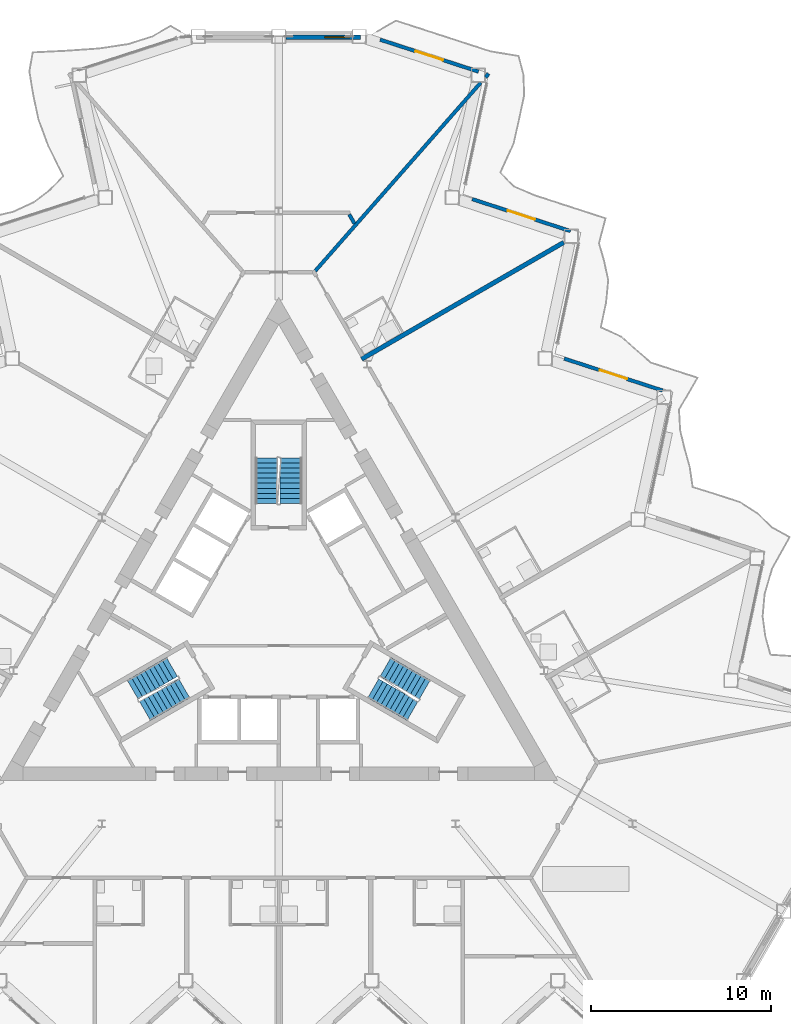
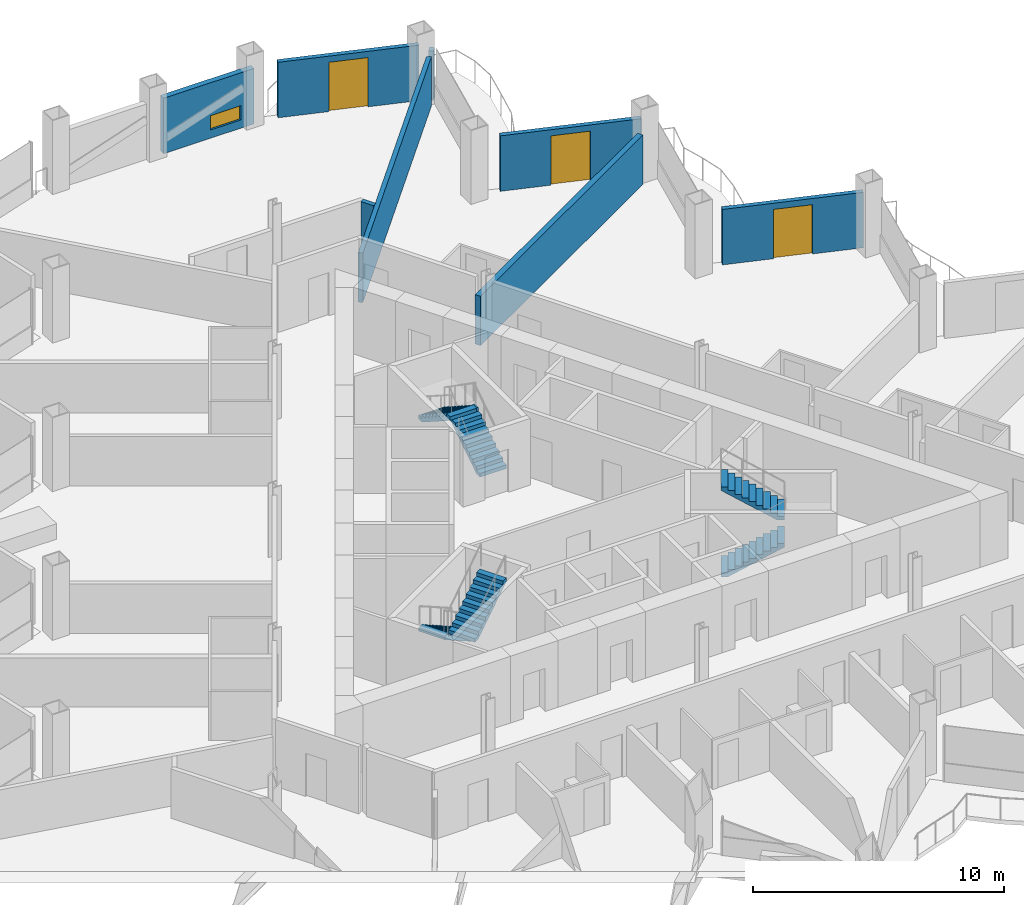
# One storey, part 15 of 23: 8 walls, 6 stair flights, 3 doors, 1 window, 4 openings, 3 elements without a shape of their own.
"""IFC4 building model written with IfcOpenShell, lengths in metres."""

from ifc_helpers import new_model, si_unit, direction, frame, frame_2d, origin, place, context, subcontext, project, spatial, polyline, rectangle, outline, extrude, material, layer, layer_set, type_object, element, fill, aggregate, save


model = new_model("IFC4")

# Units and contexts
model_context = context("Model", 3, precision=1e-05, world=origin(), true_north=direction((0.0, 1.0)))
body_context = subcontext(model_context, "Body", "Model", "MODEL_VIEW")
ifc_project = project(units=[si_unit("LENGTHUNIT", "METRE"), si_unit("AREAUNIT", "SQUARE_METRE"), si_unit("VOLUMEUNIT", "CUBIC_METRE"), si_unit("PLANEANGLEUNIT", "RADIAN"), si_unit("MASSUNIT", "GRAM", prefix="KILO")], contexts=[model_context])

# Site, building, storey
site_placement = place(None, origin())
site = spatial("IfcSite", under=ifc_project, at=site_placement, CompositionType="ELEMENT")
building_placement = place(site_placement, origin())
building = spatial("IfcBuilding", under=site, at=building_placement, Name="Cormorant Prow Tower", CompositionType="ELEMENT")
storey_placement = place(building_placement, frame((0.0, 0.0, 169.199951171875)))
storey = spatial("IfcBuildingStorey", under=building, at=storey_placement, Name="L35", CompositionType="ELEMENT", Elevation=169.199951171875)

# Walls
ifc_material_1 = material(Name="Gypsum board demising wall")
ifc_layer_1 = layer(ifc_material_1, 0.199951171875)
ifc_layer_set_1 = layer_set([ifc_layer_1], Name="Gypsum board demising wall")
wall_type_1 = type_object("IfcWallType", Name="Demising wall 200", PredefinedType="PARTITIONING", material=ifc_layer_set_1)
wall_1_placement = place(storey_placement, frame((2.029052734375, 19.372802734375, 0.0), z_axis=(0.0, 0.0, 1.0), x_axis=(0.66019067586, 0.751098043871, 0.0)))
element("IfcWall", 1, at=wall_1_placement, inside=storey, type_object=wall_type_1, Name="Demising wall", PredefinedType="PARTITIONING", context=body_context, shape_type="SweptSolid", body=[
    extrude(rectangle(XDim=13.938232421875, YDim=0.199951171875, at=frame_2d((6.96923828125, 0.0))), origin(), (0.0, 0.0, 1.0), 2.404296875),
])
wall_2_placement = place(storey_placement, frame((3.918212890625, 22.51123046875, 0.0), z_axis=(0.0, 0.0, 1.0), x_axis=(0.500105011351, -0.865964766963, 0.0)))
element("IfcWall", 2, at=wall_2_placement, inside=storey, type_object=wall_type_1, Name="Demising wall", PredefinedType="PARTITIONING", context=body_context, shape_type="SweptSolid", body=[
    extrude(rectangle(XDim=0.589111328125, YDim=0.199951171875, at=frame_2d((0.29443359375, 0.0))), origin(), (0.0, 0.0, 1.0), 2.404296875),
])
wall_3_placement = place(storey_placement, frame((11.489990234375, 30.13671875, 0.0), z_axis=(0.0, 0.0, 1.0), x_axis=(0.660272933047, 0.751025734503, 0.0)))
element("IfcWall", 3, at=wall_3_placement, inside=storey, type_object=wall_type_1, Name="Demising wall", PredefinedType="PARTITIONING", context=body_context, shape_type="SweptSolid", body=[
    extrude(rectangle(XDim=0.263671875, YDim=0.199951171875, at=frame_2d((0.1318359375, 0.0))), origin(), (0.0, 0.0, 1.0), 2.404296875),
])
ifc_material_2 = material(Name="Acoustic gypsum party wall")
ifc_layer_2 = layer(ifc_material_2, 0.25)
ifc_layer_set_2 = layer_set([ifc_layer_2], Name="Acoustic gypsum party wall")
wall_type_2 = type_object("IfcWallType", Name="Suite party wall 250", PredefinedType="PARTITIONING", material=ifc_layer_set_2)
wall_4_placement = place(storey_placement, frame((4.6044921875, 14.47265625, 0.0), z_axis=(0.0, 0.0, 1.0), x_axis=(0.866029765546, 0.499992445131, 0.0)))
element("IfcWall", 4, at=wall_4_placement, inside=storey, type_object=wall_type_2, Name="Suite party wall", PredefinedType="PARTITIONING", context=body_context, shape_type="SweptSolid", body=[
    extrude(rectangle(XDim=12.967529296875, YDim=0.25, at=frame_2d((6.48388671875, 0.0))), origin(), (0.0, 0.0, 1.0), 2.404296875),
])

# Wall, opening, window
ifc_material_3 = material(Name="Terracotta", Category="masonry")
ifc_layer_3 = layer(ifc_material_3, 0.25)
ifc_layer_set_3 = layer_set([ifc_layer_3], Name="Terracotta")
wall_type_3 = type_object("IfcWallType", Name="Terracotta bay wall 250", PredefinedType="SOLIDWALL", material=ifc_layer_set_3)
wall_5_placement = place(storey_placement, frame((4.555908203125, 32.368896484375, 0.0), z_axis=(0.0, 0.0, 1.0), x_axis=(-1.0, 0.0, 0.0)))
wall_5 = element("IfcWall", 5, at=wall_5_placement, inside=storey, type_object=wall_type_3, Name="Terracotta bay wall N00", PredefinedType="SOLIDWALL", context=body_context, shape_type="SweptSolid", body=[
    extrude(rectangle(XDim=4.156005859375, YDim=0.25, at=frame_2d((2.078125, 0.0))), origin(), (0.0, 0.0, 1.0), 2.700927734375),
])
opening_1_placement = place(wall_5_placement, frame((0.60009765625, 0.0, 0.39990234375)))
opening_1 = element("IfcOpeningElement", 6, at=opening_1_placement, cuts=wall_5, Name="Opening WN4", PredefinedType="OPENING", context=body_context, shape_type="SweptSolid", body=[
    extrude(rectangle(XDim=1.39990234375, YDim=0.699951171875, at=frame_2d((0.699951171875, 0.35009765625))), frame((0.0, 0.135009765625, 0.0), z_axis=(0.0, -1.0, 0.0), x_axis=(1.0, 0.0, 0.0)), (0.0, 0.0, 1.0), 0.27001953125),
])
ifc_material_4 = material(Name="Aluminium 6063-T6", Category="aluminium")
window_type = type_object("IfcWindowType", Name="Corner bay window 1400x700", PartitioningType="SINGLE_PANEL", PredefinedType="WINDOW", material=ifc_material_4)
window_placement = place(opening_1_placement, origin())
window = element("IfcWindow", 7, at=window_placement, inside=storey, type_object=window_type, Name="Corner bay window N00", OverallHeight=0.699951171875, OverallWidth=1.39990234375, PartitioningType="SINGLE_PANEL", PredefinedType="WINDOW", context=body_context, shape_type="SweptSolid", body=[
    extrude(rectangle(XDim=1.39990234375, YDim=0.699951171875, at=frame_2d((0.699951171875, 0.35009765625))), frame((0.0, 0.030029296875, 0.0), z_axis=(0.0, -1.0, 0.0), x_axis=(1.0, 0.0, 0.0)), (0.0, 0.0, 1.0), 0.06005859375),
])
fill(opening_1, window)

# Wall, opening, door
ifc_material_5 = material(Name="Terracotta", Category="masonry")
ifc_layer_4 = layer(ifc_material_5, 0.199951171875)
ifc_layer_set_4 = layer_set([ifc_layer_4], Name="Terracotta")
wall_type_4 = type_object("IfcWallType", Name="Terracotta jamb wall 200", PredefinedType="SOLIDWALL", material=ifc_layer_set_4)
wall_6_placement = place(storey_placement, frame((21.331298828125, 12.725830078125, 0.0), z_axis=(0.0, 0.0, 1.0), x_axis=(-0.95105997304, 0.309006355405, 0.0)))
wall_6 = element("IfcWall", 8, at=wall_6_placement, inside=storey, type_object=wall_type_4, Name="Terracotta jamb wall ENE05", PredefinedType="SOLIDWALL", context=body_context, shape_type="SweptSolid", body=[
    extrude(rectangle(XDim=5.747802734375, YDim=0.199951171875, at=frame_2d((2.8740234375, 0.0))), origin(), (0.0, 0.0, 1.0), 2.700927734375),
])
opening_2_placement = place(wall_6_placement, frame((2.073974609375, 0.0, 0.0)))
opening_2 = element("IfcOpeningElement", 9, at=opening_2_placement, cuts=wall_6, Name="Opening ED35.08", PredefinedType="OPENING", context=body_context, shape_type="SweptSolid", body=[
    extrude(rectangle(XDim=1.60009765625, YDim=2.39990234375, at=frame_2d((0.800048828125, 1.199951171875))), frame((0.0, 0.10986328125, 0.0), z_axis=(0.0, -1.0, 0.0), x_axis=(1.0, 0.0, 0.0)), (0.0, 0.0, 1.0), 0.219970703125),
])
ifc_material_6 = material(Name="Aluminium 6063-T6", Category="aluminium")
door_type = type_object("IfcDoorType", Name="Balcony door 1600x2400", OperationType="DOUBLE_DOOR_SINGLE_SWING", PredefinedType="DOOR", material=ifc_material_6)
door_1_placement = place(opening_2_placement, origin())
door_1 = element("IfcDoor", 10, at=door_1_placement, inside=storey, type_object=door_type, Name="Balcony door ENE05 ED35.08", OperationType="DOUBLE_DOOR_SINGLE_SWING", OverallHeight=2.39990234375, OverallWidth=1.60009765625, PredefinedType="DOOR", context=body_context, shape_type="SweptSolid", body=[
    extrude(rectangle(XDim=1.60009765625, YDim=2.39990234375, at=frame_2d((0.800048828125, 1.199951171875))), frame((0.0, 0.02490234375, 0.0), z_axis=(0.0, -1.0, 0.0), x_axis=(1.0, 0.0, 0.0)), (0.0, 0.0, 1.0), 0.050048828125),
])
fill(opening_2, door_1)

wall_7_placement = place(storey_placement, frame((16.215576171875, 21.58642578125, 0.0), z_axis=(0.0, 0.0, 1.0), x_axis=(-0.95105997304, 0.309006355405, 0.0)))
wall_7 = element("IfcWall", 11, at=wall_7_placement, inside=storey, type_object=wall_type_4, Name="Terracotta jamb wall ENE07", PredefinedType="SOLIDWALL", context=body_context, shape_type="SweptSolid", body=[
    extrude(rectangle(XDim=5.747802734375, YDim=0.199951171875, at=frame_2d((2.8740234375, 0.0))), origin(), (0.0, 0.0, 1.0), 2.700927734375),
])
opening_3_placement = place(wall_7_placement, frame((2.073974609375, 0.0, 0.0)))
opening_3 = element("IfcOpeningElement", 12, at=opening_3_placement, cuts=wall_7, Name="Opening ED35.09", PredefinedType="OPENING", context=body_context, shape_type="SweptSolid", body=[
    extrude(rectangle(XDim=1.60009765625, YDim=2.39990234375, at=frame_2d((0.800048828125, 1.199951171875))), frame((0.0, 0.10986328125, 0.0), z_axis=(0.0, -1.0, 0.0), x_axis=(1.0, 0.0, 0.0)), (0.0, 0.0, 1.0), 0.219970703125),
])
door_2_placement = place(opening_3_placement, origin())
door_2 = element("IfcDoor", 13, at=door_2_placement, inside=storey, type_object=door_type, Name="Balcony door ENE07 ED35.09", OperationType="DOUBLE_DOOR_SINGLE_SWING", OverallHeight=2.39990234375, OverallWidth=1.60009765625, PredefinedType="DOOR", context=body_context, shape_type="SweptSolid", body=[
    extrude(rectangle(XDim=1.60009765625, YDim=2.39990234375, at=frame_2d((0.800048828125, 1.199951171875))), frame((0.0, 0.02490234375, 0.0), z_axis=(0.0, -1.0, 0.0), x_axis=(1.0, 0.0, 0.0)), (0.0, 0.0, 1.0), 0.050048828125),
])
fill(opening_3, door_2)

wall_8_placement = place(storey_placement, frame((11.099853515625, 30.447021484375, 0.0), z_axis=(0.0, 0.0, 1.0), x_axis=(-0.95105997304, 0.309006355405, 0.0)))
wall_8 = element("IfcWall", 14, at=wall_8_placement, inside=storey, type_object=wall_type_4, Name="Terracotta jamb wall ENE09", PredefinedType="SOLIDWALL", context=body_context, shape_type="SweptSolid", body=[
    extrude(rectangle(XDim=5.747802734375, YDim=0.199951171875, at=frame_2d((2.8740234375, 0.0))), origin(), (0.0, 0.0, 1.0), 2.700927734375),
])
opening_4_placement = place(wall_8_placement, frame((2.073974609375, 0.0, 0.0)))
opening_4 = element("IfcOpeningElement", 15, at=opening_4_placement, cuts=wall_8, Name="Opening ED35.10", PredefinedType="OPENING", context=body_context, shape_type="SweptSolid", body=[
    extrude(rectangle(XDim=1.60009765625, YDim=2.39990234375, at=frame_2d((0.800048828125, 1.199951171875))), frame((0.0, 0.10986328125, 0.0), z_axis=(0.0, -1.0, 0.0), x_axis=(1.0, 0.0, 0.0)), (0.0, 0.0, 1.0), 0.219970703125),
])
door_3_placement = place(opening_4_placement, origin())
door_3 = element("IfcDoor", 16, at=door_3_placement, inside=storey, type_object=door_type, Name="Balcony door ENE09 ED35.10", OperationType="DOUBLE_DOOR_SINGLE_SWING", OverallHeight=2.39990234375, OverallWidth=1.60009765625, PredefinedType="DOOR", context=body_context, shape_type="SweptSolid", body=[
    extrude(rectangle(XDim=1.60009765625, YDim=2.39990234375, at=frame_2d((0.800048828125, 1.199951171875))), frame((0.0, 0.02490234375, 0.0), z_axis=(0.0, -1.0, 0.0), x_axis=(1.0, 0.0, 0.0)), (0.0, 0.0, 1.0), 0.050048828125),
])
fill(opening_4, door_3)

# Stair, stair flights
ifc_material_7 = material(Name="Exit stair 20 risers")
stair_type = type_object("IfcStairType", Name="Exit stair 20 risers", PredefinedType="HALF_TURN_STAIR", material=ifc_material_7)
stair_1_placement = place(storey_placement, origin())
stair_1 = element("IfcStair", 17, at=stair_1_placement, inside=storey, type_object=stair_type, Name="L35 Exit stair ST1", PredefinedType="HALF_TURN_STAIR")
ifc_material_8 = material(Name="Concrete 5000 psi", Category="concrete")
stair_flight_type = type_object("IfcStairFlightType", Name="Stair flight 1219", PredefinedType="STRAIGHT", material=ifc_material_8)
stair_flight_1_placement = place(storey_placement, frame((-5.93310546875, -2.635009765625, 0.0), z_axis=(0.0, 0.0, 1.0), x_axis=(-0.866025403784, -0.5, 0.0)))
stair_flight_1 = element("IfcStairFlight", 18, at=stair_flight_1_placement, type_object=stair_flight_type, Name="ST1 flight 1", NumberOfRisers=10, NumberOfTreads=9, PredefinedType="STRAIGHT", RiserHeight=0.18, TreadLength=0.28, context=body_context, shape_type="SweptSolid", body=[
    extrude(outline(polyline([(0.0, 0.0), (0.0, 0.179931640625), (0.280029296875, 0.179931640625), (0.280029296875, 0.360107421875), (0.56005859375, 0.360107421875), (0.56005859375, 0.5400390625), (0.840087890625, 0.5400390625), (0.840087890625, 0.719970703125), (1.1201171875, 0.719970703125), (1.1201171875, 0.89990234375), (1.39990234375, 0.89990234375), (1.39990234375, 1.080078125), (1.679931640625, 1.080078125), (1.679931640625, 1.260009765625), (1.9599609375, 1.260009765625), (1.9599609375, 1.43994140625), (2.239990234375, 1.43994140625), (2.239990234375, 1.6201171875), (2.52001953125, 1.6201171875), (2.52001953125, 1.800048828125), (2.52001953125, 1.44189453125), (0.277099609375, 0.0), (0.0, 0.0)])), frame((0.0, 0.609375, 0.0), z_axis=(0.0, -1.0, 0.0), x_axis=(1.0, 0.0, 0.0)), (0.0, 0.0, 1.0), 1.218994140625),
])
stair_flight_2_placement = place(storey_placement, frame((-7.43115234375, -5.080810546875, 1.800048828125), z_axis=(0.0, 0.0, 1.0), x_axis=(0.866025403784, 0.5, 0.0)))
stair_flight_2 = element("IfcStairFlight", 19, at=stair_flight_2_placement, type_object=stair_flight_type, Name="ST1 flight 2", NumberOfRisers=10, NumberOfTreads=9, PredefinedType="STRAIGHT", RiserHeight=0.18, TreadLength=0.28, context=body_context, shape_type="SweptSolid", body=[
    extrude(outline(polyline([(0.0, 0.0), (0.0, 0.179931640625), (0.280029296875, 0.179931640625), (0.280029296875, 0.360107421875), (0.56005859375, 0.360107421875), (0.56005859375, 0.5400390625), (0.840087890625, 0.5400390625), (0.840087890625, 0.719970703125), (1.1201171875, 0.719970703125), (1.1201171875, 0.89990234375), (1.39990234375, 0.89990234375), (1.39990234375, 1.080078125), (1.679931640625, 1.080078125), (1.679931640625, 1.260009765625), (1.9599609375, 1.260009765625), (1.9599609375, 1.43994140625), (2.239990234375, 1.43994140625), (2.239990234375, 1.6201171875), (2.52001953125, 1.6201171875), (2.52001953125, 1.800048828125), (2.52001953125, 1.44189453125), (0.277099609375, 0.0), (0.0, 0.0)])), frame((0.0, 0.609375, 0.0), z_axis=(0.0, -1.0, 0.0), x_axis=(1.0, 0.0, 0.0)), (0.0, 0.0, 1.0), 1.218994140625),
])
aggregate(stair_1, [stair_flight_1, stair_flight_2])

stair_2_placement = place(storey_placement, origin())
stair_2 = element("IfcStair", 20, at=stair_2_placement, inside=storey, type_object=stair_type, Name="L35 Exit stair ST2", PredefinedType="HALF_TURN_STAIR")
stair_flight_3_placement = place(storey_placement, frame((5.24853515625, -3.82080078125, 0.0), z_axis=(0.0, 0.0, 1.0), x_axis=(0.866025403784, -0.5, 0.0)))
stair_flight_3 = element("IfcStairFlight", 21, at=stair_flight_3_placement, type_object=stair_flight_type, Name="ST2 flight 1", NumberOfRisers=10, NumberOfTreads=9, PredefinedType="STRAIGHT", RiserHeight=0.18, TreadLength=0.28, context=body_context, shape_type="SweptSolid", body=[
    extrude(outline(polyline([(0.0, 0.0), (0.0, 0.179931640625), (0.280029296875, 0.179931640625), (0.280029296875, 0.360107421875), (0.56005859375, 0.360107421875), (0.56005859375, 0.5400390625), (0.840087890625, 0.5400390625), (0.840087890625, 0.719970703125), (1.1201171875, 0.719970703125), (1.1201171875, 0.89990234375), (1.39990234375, 0.89990234375), (1.39990234375, 1.080078125), (1.679931640625, 1.080078125), (1.679931640625, 1.260009765625), (1.9599609375, 1.260009765625), (1.9599609375, 1.43994140625), (2.239990234375, 1.43994140625), (2.239990234375, 1.6201171875), (2.52001953125, 1.6201171875), (2.52001953125, 1.800048828125), (2.52001953125, 1.44189453125), (0.277099609375, 0.0), (0.0, 0.0)])), frame((0.0, 0.609375, 0.0), z_axis=(0.0, -1.0, 0.0), x_axis=(1.0, 0.0, 0.0)), (0.0, 0.0, 1.0), 1.218994140625),
])
stair_flight_4_placement = place(storey_placement, frame((8.115478515625, -3.89501953125, 1.800048828125), z_axis=(0.0, 0.0, 1.0), x_axis=(-0.866025403784, 0.5, 0.0)))
stair_flight_4 = element("IfcStairFlight", 22, at=stair_flight_4_placement, type_object=stair_flight_type, Name="ST2 flight 2", NumberOfRisers=10, NumberOfTreads=9, PredefinedType="STRAIGHT", RiserHeight=0.18, TreadLength=0.28, context=body_context, shape_type="SweptSolid", body=[
    extrude(outline(polyline([(0.0, 0.0), (0.0, 0.179931640625), (0.280029296875, 0.179931640625), (0.280029296875, 0.360107421875), (0.56005859375, 0.360107421875), (0.56005859375, 0.5400390625), (0.840087890625, 0.5400390625), (0.840087890625, 0.719970703125), (1.1201171875, 0.719970703125), (1.1201171875, 0.89990234375), (1.39990234375, 0.89990234375), (1.39990234375, 1.080078125), (1.679931640625, 1.080078125), (1.679931640625, 1.260009765625), (1.9599609375, 1.260009765625), (1.9599609375, 1.43994140625), (2.239990234375, 1.43994140625), (2.239990234375, 1.6201171875), (2.52001953125, 1.6201171875), (2.52001953125, 1.800048828125), (2.52001953125, 1.44189453125), (0.277099609375, 0.0), (0.0, 0.0)])), frame((0.0, 0.609375, 0.0), z_axis=(0.0, -1.0, 0.0), x_axis=(1.0, 0.0, 0.0)), (0.0, 0.0, 1.0), 1.218994140625),
])
aggregate(stair_2, [stair_flight_3, stair_flight_4])

stair_3_placement = place(storey_placement, origin())
stair_3 = element("IfcStair", 23, at=stair_3_placement, inside=storey, type_object=stair_type, Name="L35 Exit stair ST3", PredefinedType="HALF_TURN_STAIR")
stair_flight_5_placement = place(storey_placement, frame((0.6845703125, 6.455810546875, 0.0), z_axis=(0.0, 0.0, 1.0), x_axis=(0.0, 1.0, 0.0)))
stair_flight_5 = element("IfcStairFlight", 24, at=stair_flight_5_placement, type_object=stair_flight_type, Name="ST3 flight 1", NumberOfRisers=10, NumberOfTreads=9, PredefinedType="STRAIGHT", RiserHeight=0.18, TreadLength=0.28, context=body_context, shape_type="SweptSolid", body=[
    extrude(outline(polyline([(0.0, 0.0), (0.0, 0.179931640625), (0.280029296875, 0.179931640625), (0.280029296875, 0.360107421875), (0.56005859375, 0.360107421875), (0.56005859375, 0.5400390625), (0.840087890625, 0.5400390625), (0.840087890625, 0.719970703125), (1.1201171875, 0.719970703125), (1.1201171875, 0.89990234375), (1.39990234375, 0.89990234375), (1.39990234375, 1.080078125), (1.679931640625, 1.080078125), (1.679931640625, 1.260009765625), (1.9599609375, 1.260009765625), (1.9599609375, 1.43994140625), (2.239990234375, 1.43994140625), (2.239990234375, 1.6201171875), (2.52001953125, 1.6201171875), (2.52001953125, 1.800048828125), (2.52001953125, 1.44189453125), (0.277099609375, 0.0), (0.0, 0.0)])), frame((0.0, 0.609375, 0.0), z_axis=(0.0, -1.0, 0.0), x_axis=(1.0, 0.0, 0.0)), (0.0, 0.0, 1.0), 1.218994140625),
])
stair_flight_6_placement = place(storey_placement, frame((-0.6845703125, 8.975830078125, 1.800048828125), z_axis=(0.0, 0.0, 1.0), x_axis=(0.0, -1.0, 0.0)))
stair_flight_6 = element("IfcStairFlight", 25, at=stair_flight_6_placement, type_object=stair_flight_type, Name="ST3 flight 2", NumberOfRisers=10, NumberOfTreads=9, PredefinedType="STRAIGHT", RiserHeight=0.18, TreadLength=0.28, context=body_context, shape_type="SweptSolid", body=[
    extrude(outline(polyline([(0.0, 0.0), (0.0, 0.179931640625), (0.280029296875, 0.179931640625), (0.280029296875, 0.360107421875), (0.56005859375, 0.360107421875), (0.56005859375, 0.5400390625), (0.840087890625, 0.5400390625), (0.840087890625, 0.719970703125), (1.1201171875, 0.719970703125), (1.1201171875, 0.89990234375), (1.39990234375, 0.89990234375), (1.39990234375, 1.080078125), (1.679931640625, 1.080078125), (1.679931640625, 1.260009765625), (1.9599609375, 1.260009765625), (1.9599609375, 1.43994140625), (2.239990234375, 1.43994140625), (2.239990234375, 1.6201171875), (2.52001953125, 1.6201171875), (2.52001953125, 1.800048828125), (2.52001953125, 1.44189453125), (0.277099609375, 0.0), (0.0, 0.0)])), frame((0.0, 0.609375, 0.0), z_axis=(0.0, -1.0, 0.0), x_axis=(1.0, 0.0, 0.0)), (0.0, 0.0, 1.0), 1.218994140625),
])
aggregate(stair_3, [stair_flight_5, stair_flight_6])

save(model, "model.ifc")
